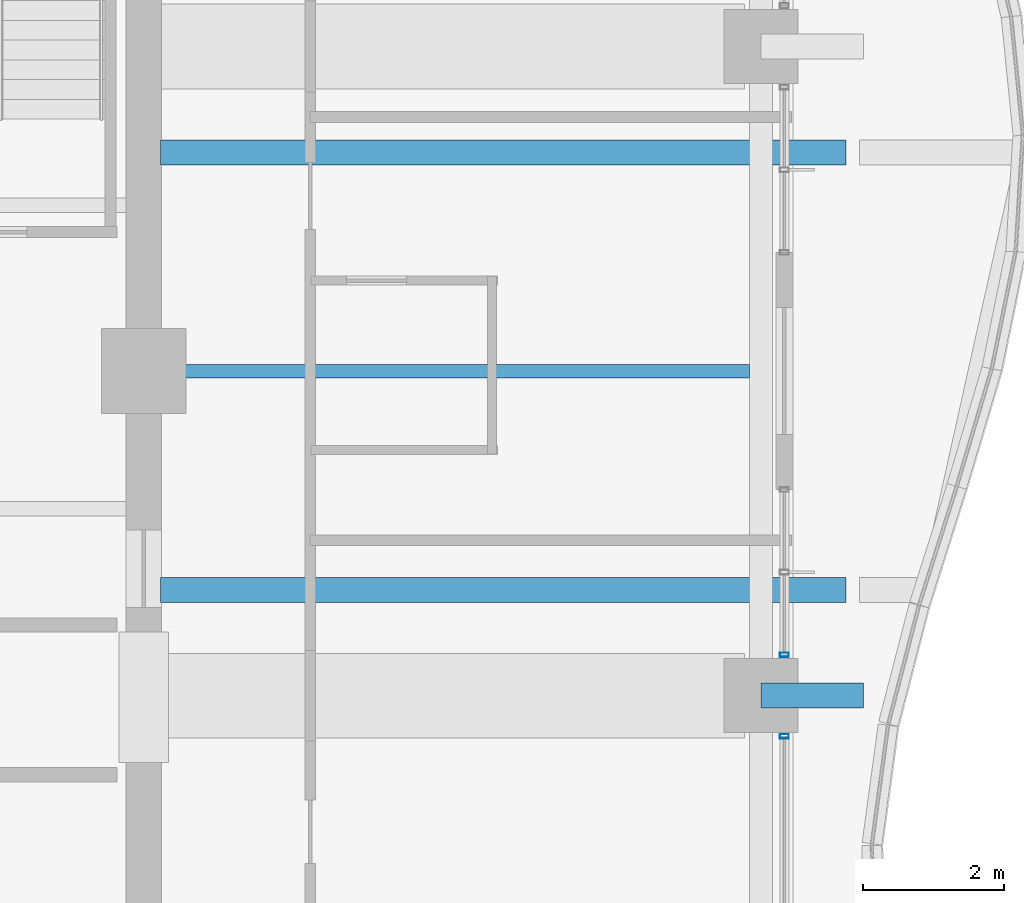
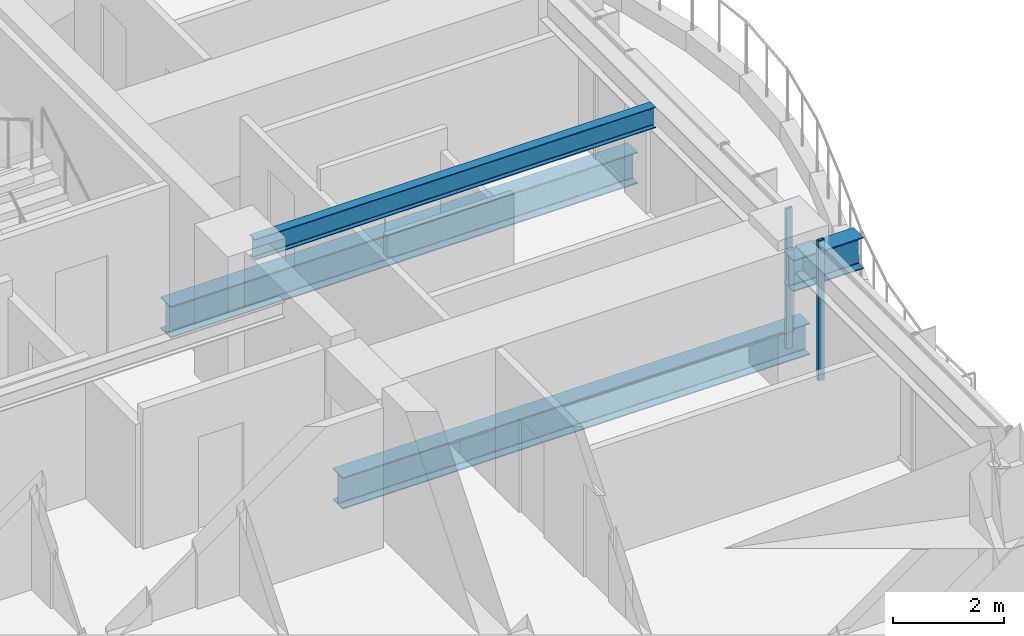
# One storey, part 16 of 36: 4 beams, 2 members, 2 elements without a shape of their own.
"""IFC4 building model written with IfcOpenShell, lengths in metres."""

import ifcopenshell
import ifcopenshell.guid

model = None  # the IFC model being written
_history = None  # IfcOwnerHistory: only IFC2X3 demands one
_inside = {}  # id of a spatial element -> (the spatial element, [elements in it])
_under = {}  # id of a project, library or spatial element -> (it, [spatial elements below it])
_declared = {}  # id of a project -> (the project, [libraries it declares])
_typed = {}  # id of a type object -> (the type object, [elements of that type])
_made_of = {}  # id of a material, layer set ... -> (it, [elements and type objects made of it])


def new_model(schema):
    """Start an empty IFC model of exactly this schema.

    Asked for "IFC4X3", IfcOpenShell would pick the latest addendum, in which some entities
    have other attributes; the version numbers below select the first issue.
    IFC2X3 requires an IfcOwnerHistory on every rooted entity: one is made here for all.
    """
    global model, _history
    if schema == "IFC4X3":
        model = ifcopenshell.file(schema_version=(4, 3, 0, 0))
    else:
        model = ifcopenshell.file(schema=schema)
    _inside.clear()
    _under.clear()
    _declared.clear()
    _typed.clear()
    _made_of.clear()
    _history = None
    if model.schema == "IFC2X3":
        org = make("IfcOrganization", Name="unknown")
        user = make(
            "IfcPersonAndOrganization",
            ThePerson=make("IfcPerson", FamilyName="unknown"),
            TheOrganization=org,
        )
        app = make(
            "IfcApplication",
            ApplicationDeveloper=org,
            Version="unknown",
            ApplicationFullName="unknown",
            ApplicationIdentifier="unknown",
        )
        _history = make(
            "IfcOwnerHistory",
            OwningUser=user,
            OwningApplication=app,
            ChangeAction="ADDED",
            CreationDate=0,
        )
    return model


def make(cls, **values):
    """One entity of the class cls with the attributes given. An attribute that is None is left unset."""
    return model.create_entity(
        cls, **{name: value for name, value in values.items() if value is not None}
    )


def rooted(cls, **values):
    """An entity with a GlobalId (a new one), such as an element, a storey or a relation."""
    return make(cls, GlobalId=ifcopenshell.guid.new(), OwnerHistory=_history, **values)


def si_unit(unit_type, name, prefix=None):
    """IfcSIUnit, for example si_unit("LENGTHUNIT", "METRE", prefix="MILLI")."""
    return make("IfcSIUnit", UnitType=unit_type, Prefix=prefix, Name=name)


def assignment(units):
    """IfcUnitAssignment: the units of a project."""
    return None if units is None else make("IfcUnitAssignment", Units=units)


def point(xyz):
    """IfcCartesianPoint."""
    return None if xyz is None else make("IfcCartesianPoint", Coordinates=xyz)


def direction(xyz):
    """IfcDirection."""
    return None if xyz is None else make("IfcDirection", DirectionRatios=xyz)


def frame(location, z_axis=None, x_axis=None):
    """IfcAxis2Placement3D, a coordinate frame: its origin and axes. An axis left out is left unset."""
    return make(
        "IfcAxis2Placement3D",
        Location=point(location),
        Axis=direction(z_axis),
        RefDirection=direction(x_axis),
    )


def frame_2d(location, x_axis=None):
    """IfcAxis2Placement2D, a coordinate frame in the plane: its origin and x axis."""
    return make(
        "IfcAxis2Placement2D", Location=point(location), RefDirection=direction(x_axis)
    )


def origin():
    """The frame at (0, 0, 0) with its axes left unset."""
    return frame((0.0, 0.0, 0.0))


def origin_2d():
    """The frame at (0, 0) in the plane with its x axis left unset."""
    return frame_2d((0.0, 0.0))


def place(relative_to, where):
    """IfcLocalPlacement: puts the frame where relative to a parent placement (None: the world)."""
    return make(
        "IfcLocalPlacement", PlacementRelTo=relative_to, RelativePlacement=where
    )


def context(
    kind, dimensions, precision=None, world=None, true_north=None, identifier=None
):
    """IfcGeometricRepresentationContext, for example the 3D "Model" context."""
    return make(
        "IfcGeometricRepresentationContext",
        ContextIdentifier=identifier,
        ContextType=kind,
        CoordinateSpaceDimension=dimensions,
        Precision=precision,
        WorldCoordinateSystem=world,
        TrueNorth=true_north,
    )


def subcontext(parent, identifier, kind, view, scale=None):
    """IfcGeometricRepresentationSubContext, for example "Body" below "Model"."""
    return make(
        "IfcGeometricRepresentationSubContext",
        ContextIdentifier=identifier,
        ContextType=kind,
        ParentContext=parent,
        TargetScale=scale,
        TargetView=view,
    )


def project(units=None, contexts=None):
    """IfcProject with its units and contexts."""
    return rooted(
        "IfcProject",
        Name="project",
        RepresentationContexts=contexts,
        UnitsInContext=assignment(units),
    )


def spatial(cls, under=None, at=None, **own):
    """A site, building, storey or space (cls), placed at a placement, below another one or the project."""
    s = rooted(cls, ObjectPlacement=at, **own)
    if under is not None:
        _under.setdefault(under.id(), (under, []))[1].append(s)
    return s


def profile(cls, at=None, kind="AREA", **sizes):
    """A parametric profile (cls). Its sizes go by their IFC names, for example OverallWidth=200.0."""
    return make(cls, ProfileType=kind, Position=at, **sizes)


def hollow_rectangle(**sizes):
    """IfcRectangleHollowProfileDef."""
    return profile("IfcRectangleHollowProfileDef", **sizes)


def i_section(**sizes):
    """IfcIShapeProfileDef."""
    return profile("IfcIShapeProfileDef", **sizes)


def extrude(swept, where, along, depth):
    """IfcExtrudedAreaSolid: the profile swept, set in the frame where, extruded along a direction by depth."""
    return make(
        "IfcExtrudedAreaSolid",
        SweptArea=swept,
        Position=where,
        ExtrudedDirection=direction(along),
        Depth=depth,
    )


def shape(context_of_items, identifier, shape_type, items):
    """IfcShapeRepresentation: the items that make up one representation, for example the "Body"."""
    return make(
        "IfcShapeRepresentation",
        ContextOfItems=context_of_items,
        RepresentationIdentifier=identifier,
        RepresentationType=shape_type,
        Items=items,
    )


def material(Name=None, Category=None):
    """IfcMaterial."""
    return make("IfcMaterial", Name=Name, Category=Category)


def material_profile(
    of_material, cross_section, Name=None, Category=None, Priority=None
):
    """IfcMaterialProfile: a cross section and its material."""
    return make(
        "IfcMaterialProfile",
        Name=Name,
        Material=of_material,
        Profile=cross_section,
        Priority=Priority,
        Category=Category,
    )


def profile_set(profiles, Name=None, composite=None):
    """IfcMaterialProfileSet."""
    return make(
        "IfcMaterialProfileSet",
        Name=Name,
        MaterialProfiles=profiles,
        CompositeProfile=composite,
    )


def made_of(thing, what):
    """Note that an element or type object is made of a material, layer set ...; save() writes the relation."""
    if what is not None:
        _made_of.setdefault(what.id(), (what, []))[1].append(thing)
    return thing


def type_object(cls, material=None, **own):
    """A type object (cls), such as IfcWallType, which elements share."""
    return made_of(rooted(cls, **own), material)


def element(
    cls,
    number,
    at=None,
    inside=None,
    cuts=None,
    type_object=None,
    material=None,
    context=None,
    identifier="Body",
    shape_type=None,
    held_by="IfcProductDefinitionShape",
    body=None,
    shapes=None,
    **own,
):
    """One element of the class cls, such as IfcWall. Its Tag is "e" and its number.

    at: its placement. inside: the storey or other place that contains it. cuts: it is an
    opening in that element (IfcRelVoidsElement). A single representation is given by context,
    identifier, shape_type and body (its items); several are given by shapes. held_by: the class
    of the entity that holds the representations. save() writes the other relations.
    """
    e = rooted(cls, Tag="e%d" % number, ObjectPlacement=at, **own)
    if body is not None:
        shapes = [shape(context, identifier, shape_type, body)]
    if shapes is not None:
        e.Representation = make(held_by, Representations=shapes)
    if inside is not None:
        _inside.setdefault(inside.id(), (inside, []))[1].append(e)
    if cuts is not None:
        rooted(
            "IfcRelVoidsElement", RelatingBuildingElement=cuts, RelatedOpeningElement=e
        )
    if type_object is not None:
        _typed.setdefault(type_object.id(), (type_object, []))[1].append(e)
    return made_of(e, material)


def aggregate(whole, parts):
    """IfcRelAggregates: a whole, such as a stair, and the parts it consists of."""
    return rooted("IfcRelAggregates", RelatingObject=whole, RelatedObjects=parts)


def save(model, path):
    """Write the relations noted so far, then the file.

    IfcRelAggregates (storeys below a building ...), IfcRelContainedInSpatialStructure (elements
    in a storey), IfcRelDefinesByType, IfcRelAssociatesMaterial and IfcRelDeclares: one each for
    every whole, place, type object, material and project.
    """
    for whole, parts in _under.values():
        aggregate(whole, parts)
    for where, things in _inside.values():
        rooted(
            "IfcRelContainedInSpatialStructure",
            RelatedElements=things,
            RelatingStructure=where,
        )
    for kind, things in _typed.values():
        rooted("IfcRelDefinesByType", RelatedObjects=things, RelatingType=kind)
    for what, things in _made_of.values():
        rooted("IfcRelAssociatesMaterial", RelatedObjects=things, RelatingMaterial=what)
    for by, libraries in _declared.values():
        rooted("IfcRelDeclares", RelatingContext=by, RelatedDefinitions=libraries)
    model.write(path)


model = new_model("IFC4")

# Units and contexts
model_context = context("Model", 3, precision=1e-05, world=origin(), true_north=direction((0.0, 1.0)))
body_context = subcontext(model_context, "Body", "Model", "MODEL_VIEW")
ifc_project = project(units=[si_unit("LENGTHUNIT", "METRE"), si_unit("AREAUNIT", "SQUARE_METRE"), si_unit("VOLUMEUNIT", "CUBIC_METRE"), si_unit("PLANEANGLEUNIT", "RADIAN"), si_unit("MASSUNIT", "GRAM", prefix="KILO")], contexts=[model_context])

# Site, building, storey
site_placement = place(None, origin())
site = spatial("IfcSite", under=ifc_project, at=site_placement, CompositionType="ELEMENT")
building_placement = place(site_placement, origin())
building = spatial("IfcBuilding", under=site, at=building_placement, Name="Kolvaren Belvedere", CompositionType="ELEMENT")
storey_placement = place(building_placement, frame((0.0, 0.0, 108.5)))
storey = spatial("IfcBuildingStorey", under=building, at=storey_placement, Name="L31", CompositionType="ELEMENT", Elevation=108.5)

# Beams
ifc_material_1 = material(Name="Structural steel ASTM A992 Grade 50", Category="steel")
ifc_material_profile_1 = material_profile(ifc_material_1, i_section(OverallWidth=0.35498046875, OverallDepth=0.696044921875, WebThickness=0.015380859375, FlangeThickness=0.02490234375, FilletRadius=0.02197265625, at=origin_2d()), Name="W27X146")
ifc_profile_set_1 = profile_set([ifc_material_profile_1], Name="Structural steel ASTM A992 Grade 50")
beam_type_1 = type_object("IfcBeamType", Name="BM-CANT-BAL", PredefinedType="BEAM", material=ifc_profile_set_1)
beam_1_placement = place(storey_placement, frame((18.64990234375, -4.60009765625, 2.14208984375), z_axis=(1.0, 0.0, 0.0), x_axis=(0.0, 1.0, 0.0)))
element("IfcBeam", 1, at=beam_1_placement, inside=storey, type_object=beam_type_1, Name="L31 East Picture-Frame Column Corbel M", PredefinedType="BEAM", context=body_context, shape_type="SweptSolid", body=[
    extrude(i_section(OverallWidth=0.35498046875, OverallDepth=0.696044921875, WebThickness=0.015380859375, FlangeThickness=0.02490234375, FilletRadius=0.02197265625, at=origin_2d()), origin(), (0.0, 0.0, 1.0), 1.4501953125),
])
ifc_material_2 = material(Name="Structural steel ASTM A992 Grade 50", Category="steel")
ifc_material_profile_2 = material_profile(ifc_material_2, i_section(OverallWidth=0.35498046875, OverallDepth=0.696044921875, WebThickness=0.015380859375, FlangeThickness=0.02490234375, FilletRadius=0.02197265625, at=origin_2d()), Name="W27X146")
ifc_profile_set_2 = profile_set([ifc_material_profile_2], Name="Structural steel ASTM A992 Grade 50")
beam_type_2 = type_object("IfcBeamType", Name="BM-GIRD-W27X146", PredefinedType="BEAM", material=ifc_profile_set_2)
for number, where, z_axis, x_axis, name in (
    (2, (10.139892578125, -3.10009765625, -0.568115234375), (1.0, 0.0, 0.0), (0.0, 1.0, 0.0), "L31 Balcony Interior Back-Span Girder BAL-E-1"),
    (3, (10.139892578125, 3.10009765625, -0.568115234375), (1.0, 0.0, 0.0), (0.0, 1.0, 0.0), "L31 Balcony Interior Back-Span Girder BAL-E-2"),
):
    element("IfcBeam", number, at=place(storey_placement, frame(where, z_axis=z_axis, x_axis=x_axis)), inside=storey, type_object=beam_type_2, Name=name, PredefinedType="BEAM", context=body_context, shape_type="SweptSolid", body=[
        extrude(i_section(OverallWidth=0.35498046875, OverallDepth=0.696044921875, WebThickness=0.015380859375, FlangeThickness=0.02490234375, FilletRadius=0.02197265625, at=origin_2d()), origin(), (0.0, 0.0, 1.0), 9.715087890625),
    ])
ifc_material_3 = material(Name="Structural steel ASTM A992 Grade 50", Category="steel")
ifc_material_profile_3 = material_profile(ifc_material_3, i_section(OverallWidth=0.19091796875, OverallDepth=0.4599609375, WebThickness=0.010009765625, FlangeThickness=0.01611328125, FilletRadius=0.014892578125, at=origin_2d()), Name="W18X55")
ifc_profile_set_3 = profile_set([ifc_material_profile_3], Name="Structural steel ASTM A992 Grade 50")
beam_type_3 = type_object("IfcBeamType", Name="BM-JOIST-W18X55", PredefinedType="BEAM", material=ifc_profile_set_3)
beam_2_placement = place(storey_placement, frame((10.14990234375, 0.0, 2.85009765625), z_axis=(1.0, 0.0, 0.0), x_axis=(0.0, 1.0, 0.0)))
element("IfcBeam", 4, at=beam_2_placement, inside=storey, type_object=beam_type_3, Name="L31 East Centre Floor Beam", PredefinedType="BEAM", context=body_context, shape_type="SweptSolid", body=[
    extrude(i_section(OverallWidth=0.19091796875, OverallDepth=0.4599609375, WebThickness=0.010009765625, FlangeThickness=0.01611328125, FilletRadius=0.014892578125, at=origin_2d()), origin(), (0.0, 0.0, 1.0), 8.337646484375),
])

# Curtain wall, member
ifc_material_4 = material(Name="Anodised pale-metal aluminium AA 6063-T6", Category="aluminium")
curtain_wall_type = type_object("IfcCurtainWallType", Name="CW-Z3-WAIST", PredefinedType="NOTDEFINED", material=ifc_material_4)
curtain_wall_1_placement = place(storey_placement, origin())
curtain_wall_1 = element("IfcCurtainWall", 5, at=curtain_wall_1_placement, inside=storey, type_object=curtain_wall_type, Name="L31 Unitised Curtain Wall FCW-L31-E2-B1", PredefinedType="NOTDEFINED")
ifc_material_5 = material(Name="Anodised pale-metal aluminium AA 6063-T6", Category="aluminium")
ifc_material_profile_4 = material_profile(ifc_material_5, hollow_rectangle(XDim=0.06494140625, YDim=0.1298828125, WallThickness=0.00390625, at=origin_2d()), Name="ALU-MUL-130X65")
ifc_profile_set_4 = profile_set([ifc_material_profile_4], Name="Anodised pale-metal aluminium AA 6063-T6")
member_type = type_object("IfcMemberType", Name="CW-MUL-130", PredefinedType="MULLION", material=ifc_profile_set_4)
member_1_placement = place(storey_placement, frame((18.97998046875, -4.0224609375, 0.0), z_axis=(0.0, 0.0, 1.0), x_axis=(0.0, 1.0, 0.0)))
member_1 = element("IfcMember", 6, at=member_1_placement, type_object=member_type, Name="FCW-L31-E2-B1 Unitised Mullion 3", PredefinedType="MULLION", context=body_context, shape_type="SweptSolid", body=[
    extrude(hollow_rectangle(XDim=0.06494140625, YDim=0.1298828125, WallThickness=0.00390625, at=origin_2d()), origin(), (0.0, 0.0, 1.0), 3.080078125),
])
aggregate(curtain_wall_1, [member_1])

curtain_wall_2_placement = place(storey_placement, origin())
curtain_wall_2 = element("IfcCurtainWall", 7, at=curtain_wall_2_placement, inside=storey, type_object=curtain_wall_type, Name="L31 Unitised Curtain Wall FCW-L31-E2-B2", PredefinedType="NOTDEFINED")
member_2_placement = place(storey_placement, frame((18.97998046875, -5.177490234375, 0.0), z_axis=(0.0, 0.0, 1.0), x_axis=(0.0, 1.0, 0.0)))
member_2 = element("IfcMember", 8, at=member_2_placement, type_object=member_type, Name="FCW-L31-E2-B2 Unitised Mullion 1", PredefinedType="MULLION", context=body_context, shape_type="SweptSolid", body=[
    extrude(hollow_rectangle(XDim=0.06494140625, YDim=0.1298828125, WallThickness=0.00390625, at=origin_2d()), origin(), (0.0, 0.0, 1.0), 3.080078125),
])
aggregate(curtain_wall_2, [member_2])

save(model, "model.ifc")
